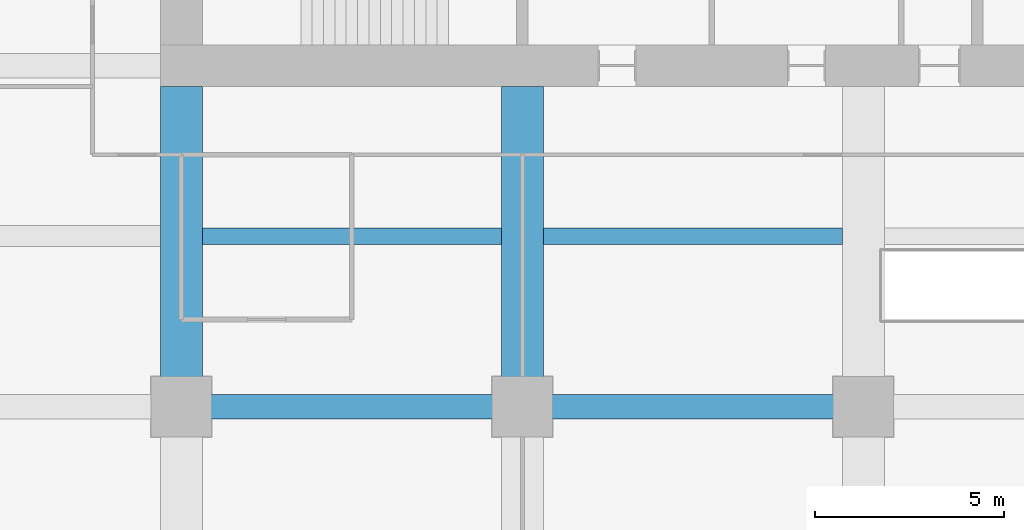
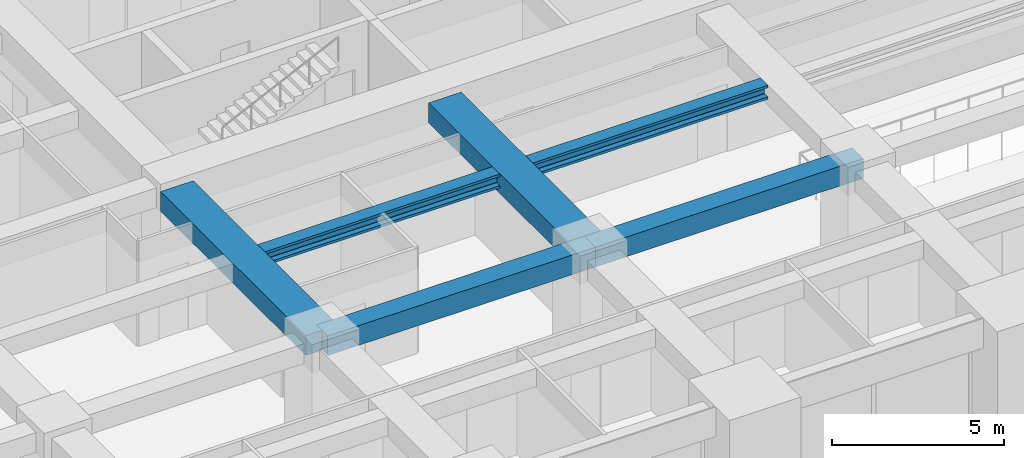
# One storey, part 8 of 33: 6 beams.
"""IFC4 building model written with IfcOpenShell, lengths in metres."""

from ifc_helpers import new_model, si_unit, direction, frame, origin, origin_2d, place, context, subcontext, project, spatial, rectangle, i_section, extrude, material, material_profile, profile_set, type_object, element, save


model = new_model("IFC4")

# Units and contexts
model_context = context("Model", 3, precision=1e-05, world=origin(), true_north=direction((0.0, 1.0)))
body_context = subcontext(model_context, "Body", "Model", "MODEL_VIEW")
ifc_project = project(units=[si_unit("LENGTHUNIT", "METRE"), si_unit("AREAUNIT", "SQUARE_METRE"), si_unit("VOLUMEUNIT", "CUBIC_METRE"), si_unit("PLANEANGLEUNIT", "RADIAN"), si_unit("MASSUNIT", "GRAM", prefix="KILO")], contexts=[model_context])

# Site, building, storey
site_placement = place(None, origin())
site = spatial("IfcSite", under=ifc_project, at=site_placement, CompositionType="ELEMENT")
building_placement = place(site_placement, origin())
building = spatial("IfcBuilding", under=site, at=building_placement, Name="Zorevar Civic Tower", CompositionType="ELEMENT")
storey_placement = place(building_placement, frame((0.0, 0.0, 178.199951171875)))
storey = spatial("IfcBuildingStorey", under=building, at=storey_placement, Name="L43", CompositionType="ELEMENT", Elevation=178.199951171875)

# Beams
ifc_material_1 = material(Name="Concrete C50/60", Category="concrete")
ifc_material_profile_1 = material_profile(ifc_material_1, rectangle(XDim=1.10009765625, YDim=0.699951171875, at=origin_2d()), Name="RC 1100x700")
ifc_profile_set_1 = profile_set([ifc_material_profile_1], Name="Concrete C50/60")
beam_type_1 = type_object("IfcBeamType", Name="Beam RC 1100x700", PredefinedType="BEAM", material=ifc_profile_set_1)
for number, where, z_axis, x_axis, name in (
    (1, (18.0, 9.0, 3.400146484375), (0.0, 1.0, 0.0), (-1.0, 0.0, 0.0), "Girder L44"),
    (2, (27.0, 9.0, 3.400146484375), (0.0, 1.0, 0.0), (-1.0, 0.0, 0.0), "Girder L44"),
):
    element("IfcBeam", number, at=place(storey_placement, frame(where, z_axis=z_axis, x_axis=x_axis)), inside=storey, type_object=beam_type_1, Name=name, PredefinedType="BEAM", context=body_context, shape_type="SweptSolid", body=[
        extrude(rectangle(XDim=1.10009765625, YDim=0.699951171875, at=origin_2d()), origin(), (0.0, 0.0, 1.0), 8.449951171875),
    ])
ifc_material_2 = material(Name="Concrete C50/60", Category="concrete")
ifc_material_profile_2 = material_profile(ifc_material_2, rectangle(XDim=0.64990234375, YDim=0.699951171875, at=origin_2d()), Name="RC 650x700")
ifc_profile_set_2 = profile_set([ifc_material_profile_2], Name="Concrete C50/60")
beam_type_2 = type_object("IfcBeamType", Name="Beam RC 650x700", PredefinedType="BEAM", material=ifc_profile_set_2)
for number, where, z_axis, x_axis, name in (
    (3, (18.0, 9.0, 3.400146484375), (1.0, 0.0, 0.0), (0.0, 1.0, 0.0), "Girder L44"),
    (4, (27.0, 9.0, 3.400146484375), (1.0, 0.0, 0.0), (0.0, 1.0, 0.0), "Girder L44"),
):
    element("IfcBeam", number, at=place(storey_placement, frame(where, z_axis=z_axis, x_axis=x_axis)), inside=storey, type_object=beam_type_2, Name=name, PredefinedType="BEAM", context=body_context, shape_type="SweptSolid", body=[
        extrude(rectangle(XDim=0.64990234375, YDim=0.699951171875, at=origin_2d()), origin(), (0.0, 0.0, 1.0), 9.0),
    ])
ifc_material_3 = material(Name="Steel S460M (HISTAR 460)", Category="steel")
ifc_material_profile_3 = material_profile(ifc_material_3, i_section(OverallWidth=0.431884765625, OverallDepth=0.498046875, WebThickness=0.0556640625, FlangeThickness=0.0888671875, FilletRadius=0.014892578125, at=origin_2d()), Name="HD 400x744")
ifc_profile_set_3 = profile_set([ifc_material_profile_3], Name="Steel S460M (HISTAR 460)")
beam_type_3 = type_object("IfcBeamType", Name="Core bay beam HD 400x744", PredefinedType="BEAM", material=ifc_profile_set_3)
for number, where, z_axis, x_axis, name in (
    (5, (18.550048828125, 13.5, 3.5009765625), (1.0, 0.0, 0.0), (0.0, 1.0, 0.0), "Secondary beam L44"),
    (6, (27.550048828125, 13.5, 3.5009765625), (1.0, 0.0, 0.0), (0.0, 1.0, 0.0), "Secondary beam L44"),
):
    element("IfcBeam", number, at=place(storey_placement, frame(where, z_axis=z_axis, x_axis=x_axis)), inside=storey, type_object=beam_type_3, Name=name, PredefinedType="BEAM", context=body_context, shape_type="SweptSolid", body=[
        extrude(i_section(OverallWidth=0.431884765625, OverallDepth=0.498046875, WebThickness=0.0556640625, FlangeThickness=0.0888671875, FilletRadius=0.014892578125, at=origin_2d()), origin(), (0.0, 0.0, 1.0), 7.89990234375),
    ])

save(model, "model.ifc")
